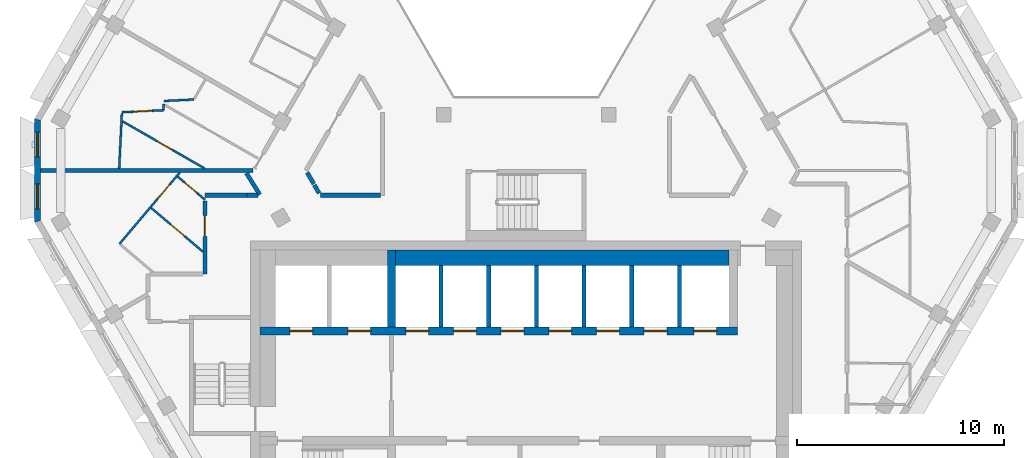
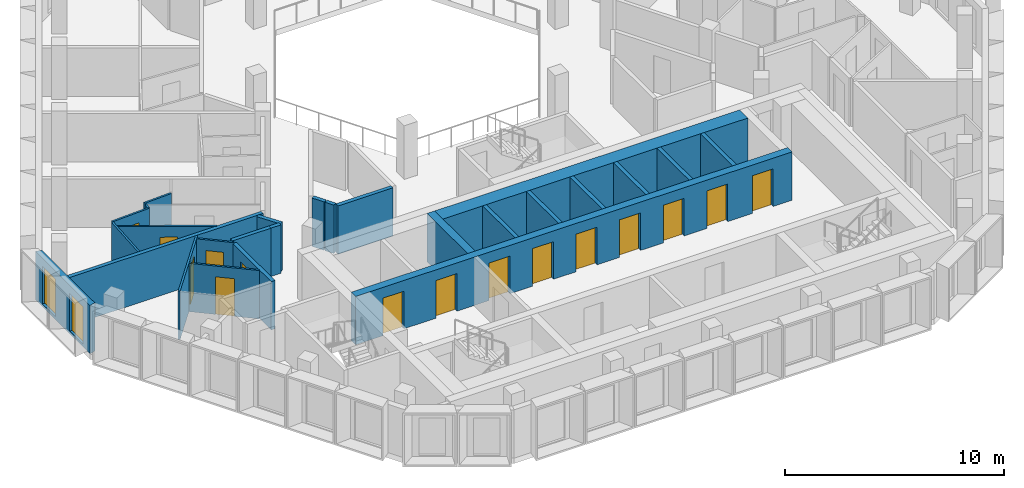
# One storey, part 4 of 16: 26 walls, 15 doors, 2 windows, 17 openings.
"""IFC4 building model written with IfcOpenShell, lengths in metres."""

from ifc_helpers import new_model, si_unit, direction, frame, frame_2d, origin, place, context, subcontext, project, spatial, polyline, rectangle, outline, extrude, material, layer, layer_set, type_object, element, fill, save


model = new_model("IFC4")

# Units and contexts
model_context = context("Model", 3, precision=1e-05, world=origin(), true_north=direction((0.0, 1.0)))
body_context = subcontext(model_context, "Body", "Model", "MODEL_VIEW")
ifc_project = project(units=[si_unit("LENGTHUNIT", "METRE"), si_unit("AREAUNIT", "SQUARE_METRE"), si_unit("VOLUMEUNIT", "CUBIC_METRE"), si_unit("PLANEANGLEUNIT", "RADIAN"), si_unit("MASSUNIT", "GRAM", prefix="KILO")], contexts=[model_context])

# Site, building, storey
site_placement = place(None, origin())
site = spatial("IfcSite", under=ifc_project, at=site_placement, CompositionType="ELEMENT")
building_placement = place(site_placement, origin())
building = spatial("IfcBuilding", under=site, at=building_placement, Name="Beryl Residences", CompositionType="ELEMENT")
storey_placement = place(building_placement, frame((0.0, 0.0, 214.800048828125)))
storey = spatial("IfcBuildingStorey", under=building, at=storey_placement, Name="L66", CompositionType="ELEMENT", Elevation=214.800048828125)

# Wall, openings, windows
ifc_material_1 = material(Name="Composite metal panel with mineral wool insulation")
ifc_layer_1 = layer(ifc_material_1, 0.300048828125)
ifc_layer_set_1 = layer_set([ifc_layer_1], Name="ES1 pale metal composite panel wall 300 mm")
wall_type_1 = type_object("IfcWallType", Name="ES1 pale metal composite panel wall 300 mm", PredefinedType="SOLIDWALL", material=ifc_layer_set_1)
wall_1_placement = place(storey_placement, frame((-23.5791015625, 0.89990234375, 0.0), z_axis=(0.0, 0.0, 1.0), x_axis=(0.0, -1.0, 0.0)))
wall_1 = element("IfcWall", 1, at=wall_1_placement, inside=storey, type_object=wall_type_1, Name="ES1 external wall L66 NW-SW", PredefinedType="SOLIDWALL", context=body_context, shape_type="SweptSolid", body=[
    extrude(outline(polyline([(0.0, -0.14990234375), (5.0, -0.14990234375), (4.919677734375, 0.14990234375), (0.080322265625, 0.14990234375), (0.0, -0.14990234375)])), origin(), (0.0, 0.0, 1.0), 2.699951171875),
])
opening_1_placement = place(wall_1_placement, frame((0.64990234375, 0.0, 0.14990234375)))
opening_1 = element("IfcOpeningElement", 2, at=opening_1_placement, cuts=wall_1, Name="Opening W2", PredefinedType="OPENING", context=body_context, shape_type="SweptSolid", body=[
    extrude(rectangle(XDim=1.199951171875, YDim=2.10009765625, at=frame_2d((0.60009765625, 1.050048828125))), frame((0.0, 0.159912109375, 0.0), z_axis=(0.0, -1.0, 0.0), x_axis=(1.0, 0.0, 0.0)), (0.0, 0.0, 1.0), 0.320068359375),
])
opening_2_placement = place(wall_1_placement, frame((3.14990234375, 0.0, 0.14990234375)))
opening_2 = element("IfcOpeningElement", 3, at=opening_2_placement, cuts=wall_1, Name="Opening W2", PredefinedType="OPENING", context=body_context, shape_type="SweptSolid", body=[
    extrude(rectangle(XDim=1.199951171875, YDim=2.10009765625, at=frame_2d((0.60009765625, 1.050048828125))), frame((0.0, 0.159912109375, 0.0), z_axis=(0.0, -1.0, 0.0), x_axis=(1.0, 0.0, 0.0)), (0.0, 0.0, 1.0), 0.320068359375),
])
ifc_material_2 = material(Name="Aluminium and clear glass", Category="aluminium")
window_type = type_object("IfcWindowType", Name="W2 chamfer window 1200 x 2100 mm", PartitioningType="SINGLE_PANEL", PredefinedType="WINDOW", material=ifc_material_2)
window_1_placement = place(opening_1_placement, origin())
window_1 = element("IfcWindow", 4, at=window_1_placement, inside=storey, type_object=window_type, Name="W2 window L66 NW-SW 1", OverallHeight=2.10009765625, OverallWidth=1.199951171875, PartitioningType="SINGLE_PANEL", PredefinedType="WINDOW", context=body_context, shape_type="SweptSolid", body=[
    extrude(rectangle(XDim=1.199951171875, YDim=2.10009765625, at=frame_2d((0.60009765625, 1.050048828125))), frame((0.0, 0.030029296875, 0.0), z_axis=(0.0, -1.0, 0.0), x_axis=(1.0, 0.0, 0.0)), (0.0, 0.0, 1.0), 0.06005859375),
])
fill(opening_1, window_1)
window_2_placement = place(opening_2_placement, origin())
window_2 = element("IfcWindow", 5, at=window_2_placement, inside=storey, type_object=window_type, Name="W2 window L66 NW-SW 2", OverallHeight=2.10009765625, OverallWidth=1.199951171875, PartitioningType="SINGLE_PANEL", PredefinedType="WINDOW", context=body_context, shape_type="SweptSolid", body=[
    extrude(rectangle(XDim=1.199951171875, YDim=2.10009765625, at=frame_2d((0.60009765625, 1.050048828125))), frame((0.0, 0.030029296875, 0.0), z_axis=(0.0, -1.0, 0.0), x_axis=(1.0, 0.0, 0.0)), (0.0, 0.0, 1.0), 0.06005859375),
])
fill(opening_2, window_2)

# Wall, opening, door
ifc_material_3 = material(Name="Gypsum board partition on steel studs", Category="steel")
ifc_layer_2 = layer(ifc_material_3, 0.10009765625)
ifc_layer_set_2 = layer_set([ifc_layer_2], Name="PT1 partition 100 mm gypsum board on steel studs")
wall_type_2 = type_object("IfcWallType", Name="PT1 partition 100 mm gypsum board on steel studs", PredefinedType="PARTITIONING", material=ifc_layer_set_2)
wall_2_placement = place(storey_placement, frame((-19.47998046875, 0.77099609375, 0.0), z_axis=(0.0, 0.0, 1.0), x_axis=(0.86748552317, -0.497462427817, 0.0)))
wall_2 = element("IfcWall", 6, at=wall_2_placement, inside=storey, type_object=wall_type_2, Name="Wall PT1 L66 018", PredefinedType="PARTITIONING", context=body_context, shape_type="SweptSolid", body=[
    extrude(rectangle(XDim=4.567138671875, YDim=0.10009765625, at=frame_2d((2.28369140625, 0.0))), origin(), (0.0, 0.0, 1.0), 2.699951171875),
])
opening_3_placement = place(wall_2_placement, frame((1.9560546875, 0.0, 0.0)))
opening_3 = element("IfcOpeningElement", 7, at=opening_3_placement, cuts=wall_2, Name="Opening D1819", PredefinedType="OPENING", context=body_context, shape_type="SweptSolid", body=[
    extrude(rectangle(XDim=0.800048828125, YDim=2.10009765625, at=frame_2d((0.39990234375, 1.050048828125))), frame((0.0, 0.06005859375, 0.0), z_axis=(0.0, -1.0, 0.0), x_axis=(1.0, 0.0, 0.0)), (0.0, 0.0, 1.0), 0.1201171875),
])
ifc_material_4 = material(Name="Timber door leaf", Category="wood")
door_type_1 = type_object("IfcDoorType", Name="D3 bathroom door 800 x 2100 mm", OperationType="SINGLE_SWING_LEFT", PredefinedType="DOOR", material=ifc_material_4)
door_1_placement = place(opening_3_placement, origin())
door_1 = element("IfcDoor", 8, at=door_1_placement, inside=storey, type_object=door_type_1, Name="Door D1819 L66 001", OperationType="SINGLE_SWING_LEFT", OverallHeight=2.10009765625, OverallWidth=0.800048828125, PredefinedType="DOOR", context=body_context, shape_type="SweptSolid", body=[
    extrude(rectangle(XDim=0.800048828125, YDim=2.10009765625, at=frame_2d((0.39990234375, 1.050048828125))), frame((0.0, 0.02490234375, 0.0), z_axis=(0.0, -1.0, 0.0), x_axis=(1.0, 0.0, 0.0)), (0.0, 0.0, 1.0), 0.050048828125),
])
fill(opening_3, door_1)

wall_3_placement = place(storey_placement, frame((-16.81591796875, -1.89990234375, 0.0), z_axis=(0.0, 0.0, 1.0), x_axis=(0.763509851459, -0.645796180482, 0.0)))
wall_3 = element("IfcWall", 9, at=wall_3_placement, inside=storey, type_object=wall_type_2, Name="Wall PT1 L66 022", PredefinedType="PARTITIONING", context=body_context, shape_type="SweptSolid", body=[
    extrude(rectangle(XDim=1.7236328125, YDim=0.10009765625, at=frame_2d((0.86181640625, 0.0))), origin(), (0.0, 0.0, 1.0), 2.699951171875),
])
opening_4_placement = place(wall_3_placement, frame((0.43701171875, 0.0, 0.0)))
opening_4 = element("IfcOpeningElement", 10, at=opening_4_placement, cuts=wall_3, Name="Opening D1824", PredefinedType="OPENING", context=body_context, shape_type="SweptSolid", body=[
    extrude(rectangle(XDim=0.800048828125, YDim=2.10009765625, at=frame_2d((0.39990234375, 1.050048828125))), frame((0.0, 0.06005859375, 0.0), z_axis=(0.0, -1.0, 0.0), x_axis=(1.0, 0.0, 0.0)), (0.0, 0.0, 1.0), 0.1201171875),
])
door_2_placement = place(opening_4_placement, origin())
door_2 = element("IfcDoor", 11, at=door_2_placement, inside=storey, type_object=door_type_1, Name="Door D1824 L66 001", OperationType="SINGLE_SWING_RIGHT", OverallHeight=2.10009765625, OverallWidth=0.800048828125, PredefinedType="DOOR", context=body_context, shape_type="SweptSolid", body=[
    extrude(rectangle(XDim=0.800048828125, YDim=2.10009765625, at=frame_2d((0.39990234375, 1.050048828125))), frame((0.0, 0.02490234375, 0.0), z_axis=(0.0, -1.0, 0.0), x_axis=(1.0, 0.0, 0.0)), (0.0, 0.0, 1.0), 0.050048828125),
])
fill(opening_4, door_2)

wall_4_placement = place(storey_placement, frame((-18.094970703125, -3.412109375, 0.0), z_axis=(0.0, 0.0, 1.0), x_axis=(0.763564811502, -0.645731196889, 0.0)))
wall_4 = element("IfcWall", 12, at=wall_4_placement, inside=storey, type_object=wall_type_2, Name="Wall PT1 L66 023", PredefinedType="PARTITIONING", context=body_context, shape_type="SweptSolid", body=[
    extrude(rectangle(XDim=3.267333984375, YDim=0.10009765625, at=frame_2d((1.6337890625, 0.0))), origin(), (0.0, 0.0, 1.0), 2.699951171875),
])
opening_5_placement = place(wall_4_placement, frame((1.22412109375, 0.0, 0.0)))
opening_5 = element("IfcOpeningElement", 13, at=opening_5_placement, cuts=wall_4, Name="Opening D1822", PredefinedType="OPENING", context=body_context, shape_type="SweptSolid", body=[
    extrude(rectangle(XDim=0.89990234375, YDim=2.10009765625, at=frame_2d((0.449951171875, 1.050048828125))), frame((0.0, 0.06005859375, 0.0), z_axis=(0.0, -1.0, 0.0), x_axis=(1.0, 0.0, 0.0)), (0.0, 0.0, 1.0), 0.1201171875),
])
ifc_material_5 = material(Name="Timber door leaf", Category="wood")
door_type_2 = type_object("IfcDoorType", Name="D2 room door 900 x 2100 mm", OperationType="SINGLE_SWING_LEFT", PredefinedType="DOOR", material=ifc_material_5)
door_3_placement = place(opening_5_placement, origin())
door_3 = element("IfcDoor", 14, at=door_3_placement, inside=storey, type_object=door_type_2, Name="Door D1822 L66 001", OperationType="SINGLE_SWING_RIGHT", OverallHeight=2.10009765625, OverallWidth=0.89990234375, PredefinedType="DOOR", context=body_context, shape_type="SweptSolid", body=[
    extrude(rectangle(XDim=0.89990234375, YDim=2.10009765625, at=frame_2d((0.449951171875, 1.050048828125))), frame((0.0, 0.02490234375, 0.0), z_axis=(0.0, -1.0, 0.0), x_axis=(1.0, 0.0, 0.0)), (0.0, 0.0, 1.0), 0.050048828125),
])
fill(opening_5, door_3)

wall_5_placement = place(storey_placement, frame((-19.625, -5.14404296875, 0.0), z_axis=(0.0, 0.0, 1.0), x_axis=(0.645668001073, 0.763618250431, 0.0)))
wall_5 = element("IfcWall", 15, at=wall_5_placement, inside=storey, type_object=wall_type_2, Name="Wall PT1 L66 027", PredefinedType="PARTITIONING", context=body_context, shape_type="SweptSolid", body=[
    extrude(rectangle(XDim=4.51025390625, YDim=0.10009765625, at=frame_2d((2.255126953125, 0.0))), origin(), (0.0, 0.0, 1.0), 2.699951171875),
])
opening_6_placement = place(wall_5_placement, frame((2.85009765625, 0.0, 0.0)))
opening_6 = element("IfcOpeningElement", 16, at=opening_6_placement, cuts=wall_5, Name="Opening D1823", PredefinedType="OPENING", context=body_context, shape_type="SweptSolid", body=[
    extrude(rectangle(XDim=0.89990234375, YDim=2.10009765625, at=frame_2d((0.449951171875, 1.050048828125))), frame((0.0, 0.06005859375, 0.0), z_axis=(0.0, -1.0, 0.0), x_axis=(1.0, 0.0, 0.0)), (0.0, 0.0, 1.0), 0.1201171875),
])
door_4_placement = place(opening_6_placement, origin())
door_4 = element("IfcDoor", 17, at=door_4_placement, inside=storey, type_object=door_type_2, Name="Door D1823 L66 001", OperationType="SINGLE_SWING_LEFT", OverallHeight=2.10009765625, OverallWidth=0.89990234375, PredefinedType="DOOR", context=body_context, shape_type="SweptSolid", body=[
    extrude(rectangle(XDim=0.89990234375, YDim=2.10009765625, at=frame_2d((0.449951171875, 1.050048828125))), frame((0.0, 0.02490234375, 0.0), z_axis=(0.0, -1.0, 0.0), x_axis=(1.0, 0.0, 0.0)), (0.0, 0.0, 1.0), 0.050048828125),
])
fill(opening_6, door_4)

# Walls
wall_6_placement = place(storey_placement, frame((-17.5029296875, 1.306884765625, 0.0), z_axis=(0.0, 0.0, 1.0), x_axis=(0.049055201451, 0.99879606888, 0.0)))
element("IfcWall", 18, at=wall_6_placement, inside=storey, type_object=wall_type_2, Name="Wall PT1 L66 034", PredefinedType="PARTITIONING", context=body_context, shape_type="SweptSolid", body=[
    extrude(rectangle(XDim=0.303466796875, YDim=0.10009765625, at=frame_2d((0.15185546875, 0.0))), origin(), (0.0, 0.0, 1.0), 2.699951171875),
])
wall_7_placement = place(storey_placement, frame((-19.64111328125, -1.5, 0.0), z_axis=(0.0, 0.0, 1.0), x_axis=(0.048898906005, 0.998803732968, 0.0)))
element("IfcWall", 19, at=wall_7_placement, inside=storey, type_object=wall_type_2, Name="Wall PT1 L66 035", PredefinedType="PARTITIONING", context=body_context, shape_type="SweptSolid", body=[
    extrude(rectangle(XDim=2.6611328125, YDim=0.10009765625, at=frame_2d((1.33056640625, 0.0))), origin(), (0.0, 0.0, 1.0), 2.699951171875),
])

# Wall, opening, door
wall_8_placement = place(storey_placement, frame((-19.508056640625, 1.2080078125, 0.0), z_axis=(0.0, 0.0, 1.0), x_axis=(0.998786372978, 0.04925221978, 0.0)))
wall_8 = element("IfcWall", 20, at=wall_8_placement, inside=storey, type_object=wall_type_2, Name="Wall PT1 L66 045", PredefinedType="PARTITIONING", context=body_context, shape_type="SweptSolid", body=[
    extrude(rectangle(XDim=2.007568359375, YDim=0.10009765625, at=frame_2d((1.00390625, 0.0))), origin(), (0.0, 0.0, 1.0), 2.699951171875),
])
opening_7_placement = place(wall_8_placement, frame((0.553955078125, 0.0, 0.0)))
opening_7 = element("IfcOpeningElement", 21, at=opening_7_placement, cuts=wall_8, Name="Opening D1820", PredefinedType="OPENING", context=body_context, shape_type="SweptSolid", body=[
    extrude(rectangle(XDim=0.89990234375, YDim=2.10009765625, at=frame_2d((0.449951171875, 1.050048828125))), frame((0.0, 0.06005859375, 0.0), z_axis=(0.0, -1.0, 0.0), x_axis=(1.0, 0.0, 0.0)), (0.0, 0.0, 1.0), 0.1201171875),
])
door_5_placement = place(opening_7_placement, origin())
door_5 = element("IfcDoor", 22, at=door_5_placement, inside=storey, type_object=door_type_2, Name="Door D1820 L66 001", OperationType="SINGLE_SWING_RIGHT", OverallHeight=2.10009765625, OverallWidth=0.89990234375, PredefinedType="DOOR", context=body_context, shape_type="SweptSolid", body=[
    extrude(rectangle(XDim=0.89990234375, YDim=2.10009765625, at=frame_2d((0.449951171875, 1.050048828125))), frame((0.0, 0.02490234375, 0.0), z_axis=(0.0, -1.0, 0.0), x_axis=(1.0, 0.0, 0.0)), (0.0, 0.0, 1.0), 0.050048828125),
])
fill(opening_7, door_5)

# Walls
wall_9_placement = place(storey_placement, frame((-17.48095703125, 1.7529296875, 0.0), z_axis=(0.0, 0.0, 1.0), x_axis=(0.998793651238, 0.049104401505, 0.0)))
element("IfcWall", 23, at=wall_9_placement, inside=storey, type_object=wall_type_2, Name="Wall PT1 L66 046", PredefinedType="PARTITIONING", context=body_context, shape_type="SweptSolid", body=[
    extrude(rectangle(XDim=1.44677734375, YDim=0.10009765625, at=frame_2d((0.723388671875, 0.0))), origin(), (0.0, 0.0, 1.0), 2.699951171875),
])
ifc_material_6 = material(Name="Acoustic double stud gypsum board wall")
ifc_layer_3 = layer(ifc_material_6, 0.199951171875)
ifc_layer_set_3 = layer_set([ifc_layer_3], Name="PT3 party wall 200 mm acoustic double stud")
wall_type_3 = type_object("IfcWallType", Name="PT3 party wall 200 mm acoustic double stud", PredefinedType="PARTITIONING", material=ifc_layer_set_3)
wall_10_placement = place(storey_placement, frame((-13.49609375, -1.72998046875, 0.0), z_axis=(0.0, 0.0, 1.0), x_axis=(0.525458799645, -0.850819046493, 0.0)))
element("IfcWall", 24, at=wall_10_placement, inside=storey, type_object=wall_type_3, Name="Wall PT3 L66 006", PredefinedType="PARTITIONING", context=body_context, shape_type="SweptSolid", body=[
    extrude(rectangle(XDim=1.22021484375, YDim=0.199951171875, at=frame_2d((0.610107421875, 0.0))), origin(), (0.0, 0.0, 1.0), 2.699951171875),
])
wall_11_placement = place(storey_placement, frame((-23.428955078125, -1.60107421875, 0.0), z_axis=(0.0, 0.0, 1.0), x_axis=(0.999999995449, 9.5406191e-05, 0.0)))
element("IfcWall", 25, at=wall_11_placement, inside=storey, type_object=wall_type_3, Name="Wall PT3 L66 007", PredefinedType="PARTITIONING", context=body_context, shape_type="SweptSolid", body=[
    extrude(rectangle(XDim=10.23583984375, YDim=0.199951171875, at=frame_2d((5.117919921875, 0.0))), origin(), (0.0, 0.0, 1.0), 2.699951171875),
])
ifc_material_7 = material(Name="Double stud gypsum board wall")
ifc_layer_4 = layer(ifc_material_7, 0.199951171875)
ifc_layer_set_4 = layer_set([ifc_layer_4], Name="PT4 corridor wall 200 mm double stud")
wall_type_4 = type_object("IfcWallType", Name="PT4 corridor wall 200 mm double stud", PredefinedType="PARTITIONING", material=ifc_layer_set_4)
wall_12_placement = place(storey_placement, frame((-10.56494140625, -1.700927734375, 0.0), z_axis=(0.0, 0.0, 1.0), x_axis=(0.499512735409, -0.866306543416, 0.0)))
element("IfcWall", 26, at=wall_12_placement, inside=storey, type_object=wall_type_4, Name="Wall PT4 L66 003", PredefinedType="PARTITIONING", context=body_context, shape_type="SweptSolid", body=[
    extrude(rectangle(XDim=0.638427734375, YDim=0.199951171875, at=frame_2d((0.3193359375, 0.0))), origin(), (0.0, 0.0, 1.0), 2.699951171875),
])
wall_13_placement = place(storey_placement, frame((-10.217041015625, -2.303955078125, 0.0), z_axis=(0.0, 0.0, 1.0), x_axis=(0.499013081552, -0.866594452117, 0.0)))
element("IfcWall", 27, at=wall_13_placement, inside=storey, type_object=wall_type_4, Name="Wall PT4 L66 004", PredefinedType="PARTITIONING", context=body_context, shape_type="SweptSolid", body=[
    extrude(rectangle(XDim=0.45703125, YDim=0.199951171875, at=frame_2d((0.228515625, 0.0))), origin(), (0.0, 0.0, 1.0), 2.699951171875),
])
wall_14_placement = place(storey_placement, frame((-13.471923828125, -2.798095703125, 0.0), z_axis=(0.0, 0.0, 1.0), x_axis=(1.0, 0.0, 0.0)))
element("IfcWall", 28, at=wall_14_placement, inside=storey, type_object=wall_type_4, Name="Wall PT4 L66 014", PredefinedType="PARTITIONING", context=body_context, shape_type="SweptSolid", body=[
    extrude(rectangle(XDim=0.534912109375, YDim=0.199951171875, at=frame_2d((0.267578125, 0.0))), origin(), (0.0, 0.0, 1.0), 2.699951171875),
])
wall_15_placement = place(storey_placement, frame((-15.4990234375, -2.800048828125, 0.0), z_axis=(0.0, 0.0, 1.0), x_axis=(1.0, 0.0, 0.0)))
element("IfcWall", 29, at=wall_15_placement, inside=storey, type_object=wall_type_4, Name="Wall PT4 L66 016", PredefinedType="PARTITIONING", context=body_context, shape_type="SweptSolid", body=[
    extrude(rectangle(XDim=2.02490234375, YDim=0.199951171875, at=frame_2d((1.012451171875, 0.0))), origin(), (0.0, 0.0, 1.0), 2.699951171875),
])
wall_16_placement = place(storey_placement, frame((-9.929931640625, -2.800048828125, 0.0), z_axis=(0.0, 0.0, 1.0), x_axis=(1.0, 0.0, 0.0)))
element("IfcWall", 30, at=wall_16_placement, inside=storey, type_object=wall_type_4, Name="Wall PT4 L66 017", PredefinedType="PARTITIONING", context=body_context, shape_type="SweptSolid", body=[
    extrude(rectangle(XDim=2.90087890625, YDim=0.199951171875, at=frame_2d((1.450439453125, 0.0))), origin(), (0.0, 0.0, 1.0), 2.699951171875),
])

# Wall, opening, door
wall_17_placement = place(storey_placement, frame((-15.5, -6.59912109375, 0.0), z_axis=(0.0, 0.0, 1.0), x_axis=(0.0, 1.0, 0.0)))
wall_17 = element("IfcWall", 31, at=wall_17_placement, inside=storey, type_object=wall_type_4, Name="Wall PT4 L66 032", PredefinedType="PARTITIONING", context=body_context, shape_type="SweptSolid", body=[
    extrude(rectangle(XDim=3.52001953125, YDim=0.199951171875, at=frame_2d((1.760009765625, 0.0))), origin(), (0.0, 0.0, 1.0), 2.699951171875),
])
opening_8_placement = place(wall_17_placement, frame((1.81494140625, 0.0, 0.0)))
opening_8 = element("IfcOpeningElement", 32, at=opening_8_placement, cuts=wall_17, Name="Opening D1821", PredefinedType="OPENING", context=body_context, shape_type="SweptSolid", body=[
    extrude(rectangle(XDim=1.0, YDim=2.10009765625, at=frame_2d((0.5, 1.050048828125))), frame((0.0, 0.10986328125, 0.0), z_axis=(0.0, -1.0, 0.0), x_axis=(1.0, 0.0, 0.0)), (0.0, 0.0, 1.0), 0.219970703125),
])
ifc_material_8 = material(Name="Timber door leaf", Category="wood")
door_type_3 = type_object("IfcDoorType", Name="D1 flat entrance door 1000 x 2100 mm", OperationType="SINGLE_SWING_LEFT", PredefinedType="DOOR", material=ifc_material_8)
door_6_placement = place(opening_8_placement, origin())
door_6 = element("IfcDoor", 33, at=door_6_placement, inside=storey, type_object=door_type_3, Name="Door D1821 L66 001", OperationType="SINGLE_SWING_LEFT", OverallHeight=2.10009765625, OverallWidth=1.0, PredefinedType="DOOR", context=body_context, shape_type="SweptSolid", body=[
    extrude(rectangle(XDim=1.0, YDim=2.10009765625, at=frame_2d((0.5, 1.050048828125))), frame((0.0, 0.02490234375, 0.0), z_axis=(0.0, -1.0, 0.0), x_axis=(1.0, 0.0, 0.0)), (0.0, 0.0, 1.0), 0.050048828125),
])
fill(opening_8, door_6)

# Walls
ifc_material_9 = material(Name="Concrete C40/50", Category="concrete")
ifc_layer_5 = layer(ifc_material_9, 0.199951171875)
ifc_layer_set_5 = layer_set([ifc_layer_5], Name="PT6 lift shaft wall 200 mm reinforced concrete C40/50")
wall_type_5 = type_object("IfcWallType", Name="PT6 lift shaft wall 200 mm reinforced concrete C40/50", PredefinedType="SOLIDWALL", material=ifc_layer_set_5)
for number, where, z_axis, x_axis, name in (
    (34, (-4.10009765625, -9.14990234375, 0.0), (0.0, 0.0, 1.0), (0.0, 1.0, 0.0), "Lift shaft wall 15"),
    (35, (-1.800048828125, -9.14990234375, 0.0), (0.0, 0.0, 1.0), (0.0, 1.0, 0.0), "Lift shaft wall 17"),
    (36, (0.5, -9.14990234375, 0.0), (0.0, 0.0, 1.0), (0.0, 1.0, 0.0), "Lift shaft wall 19"),
    (37, (2.800048828125, -9.14990234375, 0.0), (0.0, 0.0, 1.0), (0.0, 1.0, 0.0), "Lift shaft wall 20"),
    (38, (5.10009765625, -9.14990234375, 0.0), (0.0, 0.0, 1.0), (0.0, 1.0, 0.0), "Lift shaft wall 21"),
    (39, (7.39990234375, -9.14990234375, 0.0), (0.0, 0.0, 1.0), (0.0, 1.0, 0.0), "Lift shaft wall 23"),
):
    element("IfcWall", number, at=place(storey_placement, frame(where, z_axis=z_axis, x_axis=x_axis)), inside=storey, type_object=wall_type_5, Name=name, PredefinedType="SOLIDWALL", context=body_context, shape_type="SweptSolid", body=[
        extrude(rectangle(XDim=2.949951171875, YDim=0.199951171875, at=frame_2d((1.47509765625, 0.0))), origin(), (0.0, 0.0, 1.0), 2.699951171875),
    ])
ifc_material_10 = material(Name="Concrete C40/50", Category="concrete")
ifc_layer_6 = layer(ifc_material_10, 0.75)
ifc_layer_set_6 = layer_set([ifc_layer_6], Name="PT6-750 lift shaft wall 750 mm")
wall_type_6 = type_object("IfcWallType", Name="PT6-750 lift shaft wall 750 mm", PredefinedType="SOLIDWALL", material=ifc_layer_set_6)
wall_18_placement = place(storey_placement, frame((-6.300048828125, -5.824951171875, 0.0), z_axis=(0.0, 0.0, 1.0), x_axis=(1.0, 0.0, 0.0)))
element("IfcWall", 40, at=wall_18_placement, inside=storey, type_object=wall_type_6, Name="Lift shaft wall 14", PredefinedType="SOLIDWALL", context=body_context, shape_type="SweptSolid", body=[
    extrude(rectangle(XDim=16.10009765625, YDim=0.75, at=frame_2d((8.050048828125, 0.0))), origin(), (0.0, 0.0, 1.0), 2.699951171875),
])

# Wall, openings, doors
ifc_material_11 = material(Name="Concrete C50/60", Category="concrete")
ifc_layer_7 = layer(ifc_material_11, 0.39990234375)
ifc_layer_set_7 = layer_set([ifc_layer_7], Name="SW10 core internal wall 400 mm C50/60")
wall_type_7 = type_object("IfcWallType", Name="SW10 core internal wall 400 mm C50/60", PredefinedType="SHEAR", material=ifc_layer_set_7)
wall_19_placement = place(storey_placement, frame((-12.85009765625, -9.35009765625, 0.0), z_axis=(0.0, 0.0, 1.0), x_axis=(1.0, 0.0, 0.0)))
wall_19 = element("IfcWall", 41, at=wall_19_placement, inside=storey, type_object=wall_type_7, Name="Core wall SP2 L66", PredefinedType="SHEAR", context=body_context, shape_type="SweptSolid", body=[
    extrude(rectangle(XDim=23.050048828125, YDim=0.39990234375, at=frame_2d((11.52490234375, 0.0))), origin(), (0.0, 0.0, 1.0), 2.699951171875),
])
opening_9_placement = place(wall_19_placement, frame((1.449951171875, 0.0, 0.0)))
opening_9 = element("IfcOpeningElement", 42, at=opening_9_placement, cuts=wall_19, Name="Opening LD-FF1", PredefinedType="OPENING", context=body_context, shape_type="SweptSolid", body=[
    extrude(rectangle(XDim=1.10009765625, YDim=2.10009765625, at=frame_2d((0.550048828125, 1.050048828125))), frame((0.0, 0.2099609375, 0.0), z_axis=(0.0, -1.0, 0.0), x_axis=(1.0, 0.0, 0.0)), (0.0, 0.0, 1.0), 0.419921875),
])
opening_10_placement = place(wall_19_placement, frame((4.25, 0.0, 0.0)))
opening_10 = element("IfcOpeningElement", 43, at=opening_10_placement, cuts=wall_19, Name="Opening LD-FF2", PredefinedType="OPENING", context=body_context, shape_type="SweptSolid", body=[
    extrude(rectangle(XDim=1.10009765625, YDim=2.10009765625, at=frame_2d((0.550048828125, 1.050048828125))), frame((0.0, 0.2099609375, 0.0), z_axis=(0.0, -1.0, 0.0), x_axis=(1.0, 0.0, 0.0)), (0.0, 0.0, 1.0), 0.419921875),
])
opening_11_placement = place(wall_19_placement, frame((7.050048828125, 0.0, 0.0)))
opening_11 = element("IfcOpeningElement", 44, at=opening_11_placement, cuts=wall_19, Name="Opening LD-HR1", PredefinedType="OPENING", context=body_context, shape_type="SweptSolid", body=[
    extrude(rectangle(XDim=1.10009765625, YDim=2.10009765625, at=frame_2d((0.550048828125, 1.050048828125))), frame((0.0, 0.2099609375, 0.0), z_axis=(0.0, -1.0, 0.0), x_axis=(1.0, 0.0, 0.0)), (0.0, 0.0, 1.0), 0.419921875),
])
opening_12_placement = place(wall_19_placement, frame((9.35009765625, 0.0, 0.0)))
opening_12 = element("IfcOpeningElement", 45, at=opening_12_placement, cuts=wall_19, Name="Opening LD-HR2", PredefinedType="OPENING", context=body_context, shape_type="SweptSolid", body=[
    extrude(rectangle(XDim=1.10009765625, YDim=2.10009765625, at=frame_2d((0.550048828125, 1.050048828125))), frame((0.0, 0.2099609375, 0.0), z_axis=(0.0, -1.0, 0.0), x_axis=(1.0, 0.0, 0.0)), (0.0, 0.0, 1.0), 0.419921875),
])
opening_13_placement = place(wall_19_placement, frame((11.64990234375, 0.0, 0.0)))
opening_13 = element("IfcOpeningElement", 46, at=opening_13_placement, cuts=wall_19, Name="Opening LD-HR3", PredefinedType="OPENING", context=body_context, shape_type="SweptSolid", body=[
    extrude(rectangle(XDim=1.10009765625, YDim=2.10009765625, at=frame_2d((0.550048828125, 1.050048828125))), frame((0.0, 0.2099609375, 0.0), z_axis=(0.0, -1.0, 0.0), x_axis=(1.0, 0.0, 0.0)), (0.0, 0.0, 1.0), 0.419921875),
])
opening_14_placement = place(wall_19_placement, frame((13.949951171875, 0.0, 0.0)))
opening_14 = element("IfcOpeningElement", 47, at=opening_14_placement, cuts=wall_19, Name="Opening LD-HR4", PredefinedType="OPENING", context=body_context, shape_type="SweptSolid", body=[
    extrude(rectangle(XDim=1.10009765625, YDim=2.10009765625, at=frame_2d((0.550048828125, 1.050048828125))), frame((0.0, 0.2099609375, 0.0), z_axis=(0.0, -1.0, 0.0), x_axis=(1.0, 0.0, 0.0)), (0.0, 0.0, 1.0), 0.419921875),
])
opening_15_placement = place(wall_19_placement, frame((16.25, 0.0, 0.0)))
opening_15 = element("IfcOpeningElement", 48, at=opening_15_placement, cuts=wall_19, Name="Opening LD-HR5", PredefinedType="OPENING", context=body_context, shape_type="SweptSolid", body=[
    extrude(rectangle(XDim=1.10009765625, YDim=2.10009765625, at=frame_2d((0.550048828125, 1.050048828125))), frame((0.0, 0.2099609375, 0.0), z_axis=(0.0, -1.0, 0.0), x_axis=(1.0, 0.0, 0.0)), (0.0, 0.0, 1.0), 0.419921875),
])
opening_16_placement = place(wall_19_placement, frame((18.550048828125, 0.0, 0.0)))
opening_16 = element("IfcOpeningElement", 49, at=opening_16_placement, cuts=wall_19, Name="Opening LD-HR6", PredefinedType="OPENING", context=body_context, shape_type="SweptSolid", body=[
    extrude(rectangle(XDim=1.10009765625, YDim=2.10009765625, at=frame_2d((0.550048828125, 1.050048828125))), frame((0.0, 0.2099609375, 0.0), z_axis=(0.0, -1.0, 0.0), x_axis=(1.0, 0.0, 0.0)), (0.0, 0.0, 1.0), 0.419921875),
])
opening_17_placement = place(wall_19_placement, frame((20.949951171875, 0.0, 0.0)))
opening_17 = element("IfcOpeningElement", 50, at=opening_17_placement, cuts=wall_19, Name="Opening LD-SL1", PredefinedType="OPENING", context=body_context, shape_type="SweptSolid", body=[
    extrude(rectangle(XDim=1.10009765625, YDim=2.10009765625, at=frame_2d((0.550048828125, 1.050048828125))), frame((0.0, 0.2099609375, 0.0), z_axis=(0.0, -1.0, 0.0), x_axis=(1.0, 0.0, 0.0)), (0.0, 0.0, 1.0), 0.419921875),
])
ifc_material_12 = material(Name="Stainless steel sliding door", Category="steel")
door_type_4 = type_object("IfcDoorType", Name="LD1 lift landing door 1100 x 2100 mm", OperationType="DOUBLE_DOOR_SLIDING", PredefinedType="DOOR", material=ifc_material_12)
door_7_placement = place(opening_9_placement, origin())
door_7 = element("IfcDoor", 51, at=door_7_placement, inside=storey, type_object=door_type_4, Name="Lift landing door FF1", OperationType="DOUBLE_DOOR_SLIDING", OverallHeight=2.10009765625, OverallWidth=1.10009765625, PredefinedType="DOOR", context=body_context, shape_type="SweptSolid", body=[
    extrude(rectangle(XDim=1.10009765625, YDim=2.10009765625, at=frame_2d((0.550048828125, 1.050048828125))), frame((0.0, 0.02490234375, 0.0), z_axis=(0.0, -1.0, 0.0), x_axis=(1.0, 0.0, 0.0)), (0.0, 0.0, 1.0), 0.050048828125),
])
fill(opening_9, door_7)
door_8_placement = place(opening_10_placement, origin())
door_8 = element("IfcDoor", 52, at=door_8_placement, inside=storey, type_object=door_type_4, Name="Lift landing door FF2", OperationType="DOUBLE_DOOR_SLIDING", OverallHeight=2.10009765625, OverallWidth=1.10009765625, PredefinedType="DOOR", context=body_context, shape_type="SweptSolid", body=[
    extrude(rectangle(XDim=1.10009765625, YDim=2.10009765625, at=frame_2d((0.550048828125, 1.050048828125))), frame((0.0, 0.02490234375, 0.0), z_axis=(0.0, -1.0, 0.0), x_axis=(1.0, 0.0, 0.0)), (0.0, 0.0, 1.0), 0.050048828125),
])
fill(opening_10, door_8)
door_9_placement = place(opening_11_placement, origin())
door_9 = element("IfcDoor", 53, at=door_9_placement, inside=storey, type_object=door_type_4, Name="Lift landing door HR1", OperationType="DOUBLE_DOOR_SLIDING", OverallHeight=2.10009765625, OverallWidth=1.10009765625, PredefinedType="DOOR", context=body_context, shape_type="SweptSolid", body=[
    extrude(rectangle(XDim=1.10009765625, YDim=2.10009765625, at=frame_2d((0.550048828125, 1.050048828125))), frame((0.0, 0.02490234375, 0.0), z_axis=(0.0, -1.0, 0.0), x_axis=(1.0, 0.0, 0.0)), (0.0, 0.0, 1.0), 0.050048828125),
])
fill(opening_11, door_9)
door_10_placement = place(opening_12_placement, origin())
door_10 = element("IfcDoor", 54, at=door_10_placement, inside=storey, type_object=door_type_4, Name="Lift landing door HR2", OperationType="DOUBLE_DOOR_SLIDING", OverallHeight=2.10009765625, OverallWidth=1.10009765625, PredefinedType="DOOR", context=body_context, shape_type="SweptSolid", body=[
    extrude(rectangle(XDim=1.10009765625, YDim=2.10009765625, at=frame_2d((0.550048828125, 1.050048828125))), frame((0.0, 0.02490234375, 0.0), z_axis=(0.0, -1.0, 0.0), x_axis=(1.0, 0.0, 0.0)), (0.0, 0.0, 1.0), 0.050048828125),
])
fill(opening_12, door_10)
door_11_placement = place(opening_13_placement, origin())
door_11 = element("IfcDoor", 55, at=door_11_placement, inside=storey, type_object=door_type_4, Name="Lift landing door HR3", OperationType="DOUBLE_DOOR_SLIDING", OverallHeight=2.10009765625, OverallWidth=1.10009765625, PredefinedType="DOOR", context=body_context, shape_type="SweptSolid", body=[
    extrude(rectangle(XDim=1.10009765625, YDim=2.10009765625, at=frame_2d((0.550048828125, 1.050048828125))), frame((0.0, 0.02490234375, 0.0), z_axis=(0.0, -1.0, 0.0), x_axis=(1.0, 0.0, 0.0)), (0.0, 0.0, 1.0), 0.050048828125),
])
fill(opening_13, door_11)
door_12_placement = place(opening_14_placement, origin())
door_12 = element("IfcDoor", 56, at=door_12_placement, inside=storey, type_object=door_type_4, Name="Lift landing door HR4", OperationType="DOUBLE_DOOR_SLIDING", OverallHeight=2.10009765625, OverallWidth=1.10009765625, PredefinedType="DOOR", context=body_context, shape_type="SweptSolid", body=[
    extrude(rectangle(XDim=1.10009765625, YDim=2.10009765625, at=frame_2d((0.550048828125, 1.050048828125))), frame((0.0, 0.02490234375, 0.0), z_axis=(0.0, -1.0, 0.0), x_axis=(1.0, 0.0, 0.0)), (0.0, 0.0, 1.0), 0.050048828125),
])
fill(opening_14, door_12)
door_13_placement = place(opening_15_placement, origin())
door_13 = element("IfcDoor", 57, at=door_13_placement, inside=storey, type_object=door_type_4, Name="Lift landing door HR5", OperationType="DOUBLE_DOOR_SLIDING", OverallHeight=2.10009765625, OverallWidth=1.10009765625, PredefinedType="DOOR", context=body_context, shape_type="SweptSolid", body=[
    extrude(rectangle(XDim=1.10009765625, YDim=2.10009765625, at=frame_2d((0.550048828125, 1.050048828125))), frame((0.0, 0.02490234375, 0.0), z_axis=(0.0, -1.0, 0.0), x_axis=(1.0, 0.0, 0.0)), (0.0, 0.0, 1.0), 0.050048828125),
])
fill(opening_15, door_13)
door_14_placement = place(opening_16_placement, origin())
door_14 = element("IfcDoor", 58, at=door_14_placement, inside=storey, type_object=door_type_4, Name="Lift landing door HR6", OperationType="DOUBLE_DOOR_SLIDING", OverallHeight=2.10009765625, OverallWidth=1.10009765625, PredefinedType="DOOR", context=body_context, shape_type="SweptSolid", body=[
    extrude(rectangle(XDim=1.10009765625, YDim=2.10009765625, at=frame_2d((0.550048828125, 1.050048828125))), frame((0.0, 0.02490234375, 0.0), z_axis=(0.0, -1.0, 0.0), x_axis=(1.0, 0.0, 0.0)), (0.0, 0.0, 1.0), 0.050048828125),
])
fill(opening_16, door_14)
door_15_placement = place(opening_17_placement, origin())
door_15 = element("IfcDoor", 59, at=door_15_placement, inside=storey, type_object=door_type_4, Name="Lift landing door SL1", OperationType="DOUBLE_DOOR_SLIDING", OverallHeight=2.10009765625, OverallWidth=1.10009765625, PredefinedType="DOOR", context=body_context, shape_type="SweptSolid", body=[
    extrude(rectangle(XDim=1.10009765625, YDim=2.10009765625, at=frame_2d((0.550048828125, 1.050048828125))), frame((0.0, 0.02490234375, 0.0), z_axis=(0.0, -1.0, 0.0), x_axis=(1.0, 0.0, 0.0)), (0.0, 0.0, 1.0), 0.050048828125),
])
fill(opening_17, door_15)

# Wall
wall_20_placement = place(storey_placement, frame((-6.5, -9.14990234375, 0.0), z_axis=(0.0, 0.0, 1.0), x_axis=(0.0, 1.0, 0.0)))
element("IfcWall", 60, at=wall_20_placement, inside=storey, type_object=wall_type_7, Name="Core wall XN1 L66", PredefinedType="SHEAR", context=body_context, shape_type="SweptSolid", body=[
    extrude(rectangle(XDim=3.699951171875, YDim=0.39990234375, at=frame_2d((1.85009765625, 0.0))), origin(), (0.0, 0.0, 1.0), 2.699951171875),
])

save(model, "model.ifc")
